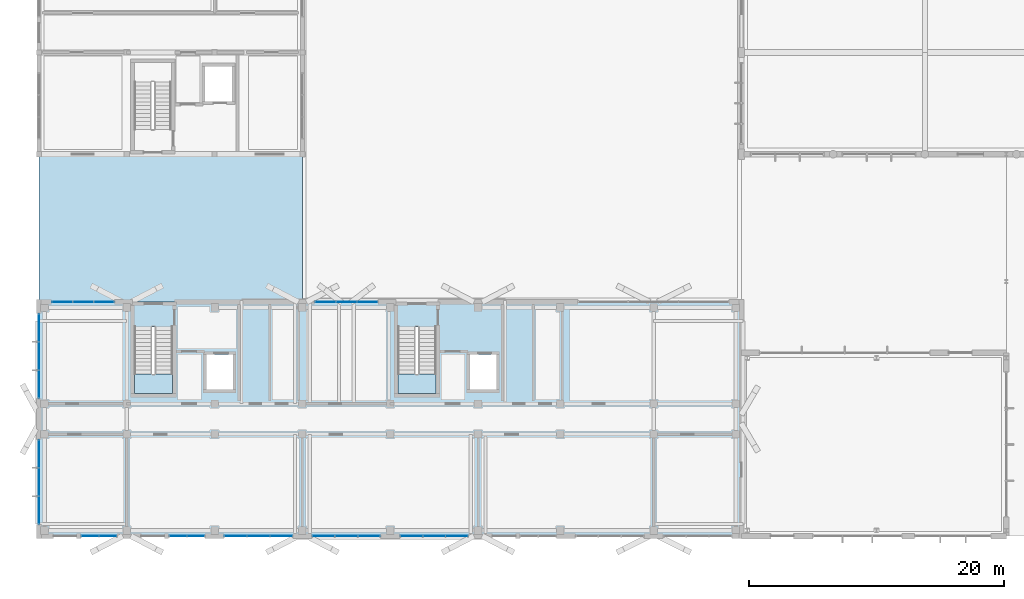
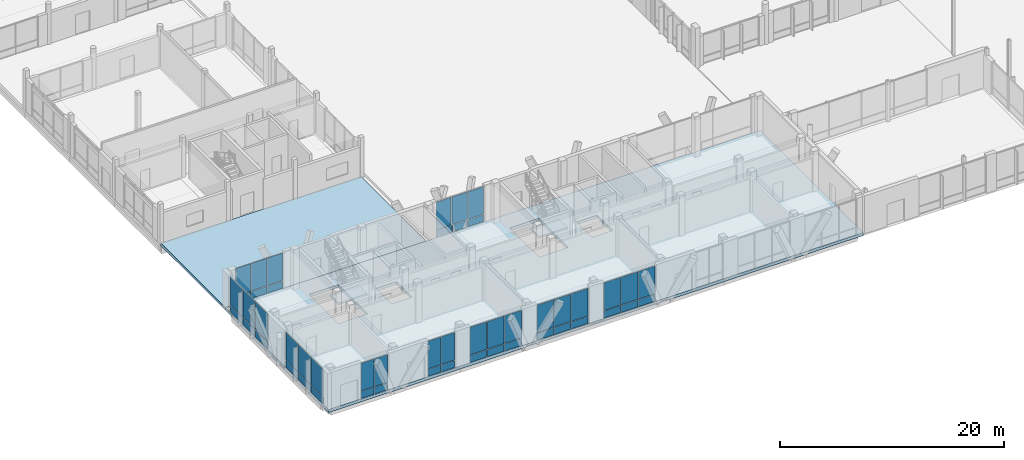
# One storey, part 176 of 233: 50 plates, 4 slabs, 11 elements without a shape of their own.
"""IFC4 building model written with IfcOpenShell, lengths in metres."""

import ifcopenshell
import ifcopenshell.guid

model = None  # the IFC model being written
_history = None  # IfcOwnerHistory: only IFC2X3 demands one
_inside = {}  # id of a spatial element -> (the spatial element, [elements in it])
_under = {}  # id of a project, library or spatial element -> (it, [spatial elements below it])
_declared = {}  # id of a project -> (the project, [libraries it declares])
_typed = {}  # id of a type object -> (the type object, [elements of that type])
_made_of = {}  # id of a material, layer set ... -> (it, [elements and type objects made of it])


def new_model(schema):
    """Start an empty IFC model of exactly this schema.

    Asked for "IFC4X3", IfcOpenShell would pick the latest addendum, in which some entities
    have other attributes; the version numbers below select the first issue.
    IFC2X3 requires an IfcOwnerHistory on every rooted entity: one is made here for all.
    """
    global model, _history
    if schema == "IFC4X3":
        model = ifcopenshell.file(schema_version=(4, 3, 0, 0))
    else:
        model = ifcopenshell.file(schema=schema)
    _inside.clear()
    _under.clear()
    _declared.clear()
    _typed.clear()
    _made_of.clear()
    _history = None
    if model.schema == "IFC2X3":
        org = make("IfcOrganization", Name="unknown")
        user = make(
            "IfcPersonAndOrganization",
            ThePerson=make("IfcPerson", FamilyName="unknown"),
            TheOrganization=org,
        )
        app = make(
            "IfcApplication",
            ApplicationDeveloper=org,
            Version="unknown",
            ApplicationFullName="unknown",
            ApplicationIdentifier="unknown",
        )
        _history = make(
            "IfcOwnerHistory",
            OwningUser=user,
            OwningApplication=app,
            ChangeAction="ADDED",
            CreationDate=0,
        )
    return model


def make(cls, **values):
    """One entity of the class cls with the attributes given. An attribute that is None is left unset."""
    return model.create_entity(
        cls, **{name: value for name, value in values.items() if value is not None}
    )


def rooted(cls, **values):
    """An entity with a GlobalId (a new one), such as an element, a storey or a relation."""
    return make(cls, GlobalId=ifcopenshell.guid.new(), OwnerHistory=_history, **values)


def si_unit(unit_type, name, prefix=None):
    """IfcSIUnit, for example si_unit("LENGTHUNIT", "METRE", prefix="MILLI")."""
    return make("IfcSIUnit", UnitType=unit_type, Prefix=prefix, Name=name)


def assignment(units):
    """IfcUnitAssignment: the units of a project."""
    return None if units is None else make("IfcUnitAssignment", Units=units)


def point(xyz):
    """IfcCartesianPoint."""
    return None if xyz is None else make("IfcCartesianPoint", Coordinates=xyz)


def direction(xyz):
    """IfcDirection."""
    return None if xyz is None else make("IfcDirection", DirectionRatios=xyz)


def frame(location, z_axis=None, x_axis=None):
    """IfcAxis2Placement3D, a coordinate frame: its origin and axes. An axis left out is left unset."""
    return make(
        "IfcAxis2Placement3D",
        Location=point(location),
        Axis=direction(z_axis),
        RefDirection=direction(x_axis),
    )


def frame_2d(location, x_axis=None):
    """IfcAxis2Placement2D, a coordinate frame in the plane: its origin and x axis."""
    return make(
        "IfcAxis2Placement2D", Location=point(location), RefDirection=direction(x_axis)
    )


def origin():
    """The frame at (0, 0, 0) with its axes left unset."""
    return frame((0.0, 0.0, 0.0))


def origin_2d():
    """The frame at (0, 0) in the plane with its x axis left unset."""
    return frame_2d((0.0, 0.0))


def place(relative_to, where):
    """IfcLocalPlacement: puts the frame where relative to a parent placement (None: the world)."""
    return make(
        "IfcLocalPlacement", PlacementRelTo=relative_to, RelativePlacement=where
    )


def context(
    kind, dimensions, precision=None, world=None, true_north=None, identifier=None
):
    """IfcGeometricRepresentationContext, for example the 3D "Model" context."""
    return make(
        "IfcGeometricRepresentationContext",
        ContextIdentifier=identifier,
        ContextType=kind,
        CoordinateSpaceDimension=dimensions,
        Precision=precision,
        WorldCoordinateSystem=world,
        TrueNorth=true_north,
    )


def subcontext(parent, identifier, kind, view, scale=None):
    """IfcGeometricRepresentationSubContext, for example "Body" below "Model"."""
    return make(
        "IfcGeometricRepresentationSubContext",
        ContextIdentifier=identifier,
        ContextType=kind,
        ParentContext=parent,
        TargetScale=scale,
        TargetView=view,
    )


def project(units=None, contexts=None):
    """IfcProject with its units and contexts."""
    return rooted(
        "IfcProject",
        Name="project",
        RepresentationContexts=contexts,
        UnitsInContext=assignment(units),
    )


def spatial(cls, under=None, at=None, **own):
    """A site, building, storey or space (cls), placed at a placement, below another one or the project."""
    s = rooted(cls, ObjectPlacement=at, **own)
    if under is not None:
        _under.setdefault(under.id(), (under, []))[1].append(s)
    return s


def polyline(points):
    """IfcPolyline through the points."""
    return make("IfcPolyline", Points=[point(p) for p in points])


def profile(cls, at=None, kind="AREA", **sizes):
    """A parametric profile (cls). Its sizes go by their IFC names, for example OverallWidth=200.0."""
    return make(cls, ProfileType=kind, Position=at, **sizes)


def rectangle(**sizes):
    """IfcRectangleProfileDef."""
    return profile("IfcRectangleProfileDef", **sizes)


def outline(outer, holes=None, kind="AREA"):
    """IfcArbitraryClosedProfileDef: a profile drawn as a closed curve; with holes, ...WithVoids."""
    if holes is None:
        return make("IfcArbitraryClosedProfileDef", ProfileType=kind, OuterCurve=outer)
    return make(
        "IfcArbitraryProfileDefWithVoids",
        ProfileType=kind,
        OuterCurve=outer,
        InnerCurves=holes,
    )


def extrude(swept, where, along, depth):
    """IfcExtrudedAreaSolid: the profile swept, set in the frame where, extruded along a direction by depth."""
    return make(
        "IfcExtrudedAreaSolid",
        SweptArea=swept,
        Position=where,
        ExtrudedDirection=direction(along),
        Depth=depth,
    )


def shape(context_of_items, identifier, shape_type, items):
    """IfcShapeRepresentation: the items that make up one representation, for example the "Body"."""
    return make(
        "IfcShapeRepresentation",
        ContextOfItems=context_of_items,
        RepresentationIdentifier=identifier,
        RepresentationType=shape_type,
        Items=items,
    )


def material(Name=None, Category=None):
    """IfcMaterial."""
    return make("IfcMaterial", Name=Name, Category=Category)


def layer(
    of_material, thickness, ventilated=None, Name=None, Category=None, Priority=None
):
    """IfcMaterialLayer: one layer of a wall or slab, of a material (None: an air gap)."""
    return make(
        "IfcMaterialLayer",
        Material=of_material,
        LayerThickness=thickness,
        IsVentilated=ventilated,
        Name=Name,
        Category=Category,
        Priority=Priority,
    )


def layer_set(layers, Name=None):
    """IfcMaterialLayerSet."""
    return make("IfcMaterialLayerSet", MaterialLayers=layers, LayerSetName=Name)


def made_of(thing, what):
    """Note that an element or type object is made of a material, layer set ...; save() writes the relation."""
    if what is not None:
        _made_of.setdefault(what.id(), (what, []))[1].append(thing)
    return thing


def type_object(cls, material=None, **own):
    """A type object (cls), such as IfcWallType, which elements share."""
    return made_of(rooted(cls, **own), material)


def element(
    cls,
    number,
    at=None,
    inside=None,
    cuts=None,
    type_object=None,
    material=None,
    context=None,
    identifier="Body",
    shape_type=None,
    held_by="IfcProductDefinitionShape",
    body=None,
    shapes=None,
    **own,
):
    """One element of the class cls, such as IfcWall. Its Tag is "e" and its number.

    at: its placement. inside: the storey or other place that contains it. cuts: it is an
    opening in that element (IfcRelVoidsElement). A single representation is given by context,
    identifier, shape_type and body (its items); several are given by shapes. held_by: the class
    of the entity that holds the representations. save() writes the other relations.
    """
    e = rooted(cls, Tag="e%d" % number, ObjectPlacement=at, **own)
    if body is not None:
        shapes = [shape(context, identifier, shape_type, body)]
    if shapes is not None:
        e.Representation = make(held_by, Representations=shapes)
    if inside is not None:
        _inside.setdefault(inside.id(), (inside, []))[1].append(e)
    if cuts is not None:
        rooted(
            "IfcRelVoidsElement", RelatingBuildingElement=cuts, RelatedOpeningElement=e
        )
    if type_object is not None:
        _typed.setdefault(type_object.id(), (type_object, []))[1].append(e)
    return made_of(e, material)


def aggregate(whole, parts):
    """IfcRelAggregates: a whole, such as a stair, and the parts it consists of."""
    return rooted("IfcRelAggregates", RelatingObject=whole, RelatedObjects=parts)


def save(model, path):
    """Write the relations noted so far, then the file.

    IfcRelAggregates (storeys below a building ...), IfcRelContainedInSpatialStructure (elements
    in a storey), IfcRelDefinesByType, IfcRelAssociatesMaterial and IfcRelDeclares: one each for
    every whole, place, type object, material and project.
    """
    for whole, parts in _under.values():
        aggregate(whole, parts)
    for where, things in _inside.values():
        rooted(
            "IfcRelContainedInSpatialStructure",
            RelatedElements=things,
            RelatingStructure=where,
        )
    for kind, things in _typed.values():
        rooted("IfcRelDefinesByType", RelatedObjects=things, RelatingType=kind)
    for what, things in _made_of.values():
        rooted("IfcRelAssociatesMaterial", RelatedObjects=things, RelatingMaterial=what)
    for by, libraries in _declared.values():
        rooted("IfcRelDeclares", RelatingContext=by, RelatedDefinitions=libraries)
    model.write(path)


model = new_model("IFC4")

# Units and contexts
model_context = context("Model", 3, precision=1e-05, world=origin(), true_north=direction((0.0, 1.0)))
body_context = subcontext(model_context, "Body", "Model", "MODEL_VIEW")
ifc_project = project(units=[si_unit("LENGTHUNIT", "METRE"), si_unit("AREAUNIT", "SQUARE_METRE"), si_unit("VOLUMEUNIT", "CUBIC_METRE"), si_unit("PLANEANGLEUNIT", "RADIAN"), si_unit("MASSUNIT", "GRAM", prefix="KILO")], contexts=[model_context])

# Site, building, storey
site_placement = place(None, origin())
site = spatial("IfcSite", under=ifc_project, at=site_placement, CompositionType="ELEMENT")
building_placement = place(site_placement, origin())
building = spatial("IfcBuilding", under=site, at=building_placement, Name="Zavelmont Quarter", CompositionType="ELEMENT")
storey_placement = place(building_placement, origin())
storey = spatial("IfcBuildingStorey", under=building, at=storey_placement, Name="L00", CompositionType="ELEMENT", Elevation=0.0)

# Curtain wall, plates
ifc_material_1 = material(Name="Thermally broken aluminium and double low-E safety glazing", Category="aluminium")
curtain_wall_type_1 = type_object("IfcCurtainWallType", Name="CW-285X395", PredefinedType="NOTDEFINED", material=ifc_material_1)
curtain_wall_1_placement = place(storey_placement, origin())
curtain_wall_1 = element("IfcCurtainWall", 1, at=curtain_wall_1_placement, inside=storey, type_object=curtain_wall_type_1, Name="L00 unitised curtain wall CW-285X395", PredefinedType="NOTDEFINED")
ifc_material_2 = material(Name="Insulated anodised-aluminium spandrel panel", Category="aluminium")
ifc_layer_1 = layer(ifc_material_2, 0.0400390625)
ifc_layer_set_1 = layer_set([ifc_layer_1], Name="Insulated anodised-aluminium spandrel panel")
plate_type_1 = type_object("IfcPlateType", Name="CWP-SPD-1335X760", PredefinedType="CURTAIN_PANEL", material=ifc_layer_set_1)
plate_1_placement = place(storey_placement, frame((4.027587890625, 0.0, 0.06005859375), z_axis=(0.0, 0.0, 1.0), x_axis=(1.0, 0.0, 0.0)))
plate_1 = element("IfcPlate", 2, at=plate_1_placement, type_object=plate_type_1, Name="CW-285X395 panel 1.1", PredefinedType="CURTAIN_PANEL", context=body_context, shape_type="SweptSolid", body=[
    extrude(rectangle(XDim=1.3349609375, YDim=0.0400390625, at=origin_2d()), origin(), (0.0, 0.0, 1.0), 0.760009765625),
])
plate_2_placement = place(storey_placement, frame((5.422607421875, 0.0, 0.06005859375), z_axis=(0.0, 0.0, 1.0), x_axis=(1.0, 0.0, 0.0)))
plate_2 = element("IfcPlate", 3, at=plate_2_placement, type_object=plate_type_1, Name="CW-285X395 panel 2.1", PredefinedType="CURTAIN_PANEL", context=body_context, shape_type="SweptSolid", body=[
    extrude(rectangle(XDim=1.3349609375, YDim=0.0400390625, at=origin_2d()), origin(), (0.0, 0.0, 1.0), 0.760009765625),
])

curtain_wall_2_placement = place(storey_placement, origin())
curtain_wall_2 = element("IfcCurtainWall", 4, at=curtain_wall_2_placement, inside=storey, type_object=curtain_wall_type_1, Name="L00 unitised curtain wall CW-285X395", PredefinedType="NOTDEFINED")
plate_3_placement = place(storey_placement, frame((10.927490234375, 0.0, 0.06005859375), z_axis=(0.0, 0.0, 1.0), x_axis=(1.0, 0.0, 0.0)))
plate_3 = element("IfcPlate", 5, at=plate_3_placement, type_object=plate_type_1, Name="CW-285X395 panel 1.1", PredefinedType="CURTAIN_PANEL", context=body_context, shape_type="SweptSolid", body=[
    extrude(rectangle(XDim=1.3349609375, YDim=0.0400390625, at=origin_2d()), origin(), (0.0, 0.0, 1.0), 0.760009765625),
])
plate_4_placement = place(storey_placement, frame((12.322509765625, 0.0, 0.06005859375), z_axis=(0.0, 0.0, 1.0), x_axis=(1.0, 0.0, 0.0)))
plate_4 = element("IfcPlate", 6, at=plate_4_placement, type_object=plate_type_1, Name="CW-285X395 panel 2.1", PredefinedType="CURTAIN_PANEL", context=body_context, shape_type="SweptSolid", body=[
    extrude(rectangle(XDim=1.3349609375, YDim=0.0400390625, at=origin_2d()), origin(), (0.0, 0.0, 1.0), 0.760009765625),
])

curtain_wall_type_2 = type_object("IfcCurtainWallType", Name="CW-495X395", PredefinedType="NOTDEFINED", material=ifc_material_1)
curtain_wall_3_placement = place(storey_placement, origin())
curtain_wall_3 = element("IfcCurtainWall", 7, at=curtain_wall_3_placement, inside=storey, type_object=curtain_wall_type_2, Name="L00 unitised curtain wall CW-495X395", PredefinedType="NOTDEFINED")
ifc_layer_2 = layer(ifc_material_2, 0.0400390625)
ifc_layer_set_2 = layer_set([ifc_layer_2], Name="Insulated anodised-aluminium spandrel panel")
plate_type_2 = type_object("IfcPlateType", Name="CWP-SPD-1560X760", PredefinedType="CURTAIN_PANEL", material=ifc_layer_set_2)
plate_5_placement = place(storey_placement, frame((1.840087890625, 18.39990234375, 0.06005859375), z_axis=(0.0, 0.0, 1.0), x_axis=(1.0, 0.0, 0.0)))
plate_5 = element("IfcPlate", 8, at=plate_5_placement, type_object=plate_type_2, Name="CW-495X395 panel 1.1", PredefinedType="CURTAIN_PANEL", context=body_context, shape_type="SweptSolid", body=[
    extrude(rectangle(XDim=1.56005859375, YDim=0.0400390625, at=origin_2d()), origin(), (0.0, 0.0, 1.0), 0.760009765625),
])
plate_6_placement = place(storey_placement, frame((5.110107421875, 18.39990234375, 0.06005859375), z_axis=(0.0, 0.0, 1.0), x_axis=(1.0, 0.0, 0.0)))
plate_6 = element("IfcPlate", 9, at=plate_6_placement, type_object=plate_type_2, Name="CW-495X395 panel 3.1", PredefinedType="CURTAIN_PANEL", context=body_context, shape_type="SweptSolid", body=[
    extrude(rectangle(XDim=1.56005859375, YDim=0.0400390625, at=origin_2d()), origin(), (0.0, 0.0, 1.0), 0.760009765625),
])

curtain_wall_type_3 = type_object("IfcCurtainWallType", Name="CW-500X395", PredefinedType="NOTDEFINED", material=ifc_material_1)
curtain_wall_4_placement = place(storey_placement, origin())
curtain_wall_4 = element("IfcCurtainWall", 10, at=curtain_wall_4_placement, inside=storey, type_object=curtain_wall_type_3, Name="L00 unitised curtain wall CW-500X395", PredefinedType="NOTDEFINED")
ifc_layer_3 = layer(ifc_material_2, 0.0400390625)
ifc_layer_set_3 = layer_set([ifc_layer_3], Name="Insulated anodised-aluminium spandrel panel")
plate_type_3 = type_object("IfcPlateType", Name="CWP-SPD-1575X760", PredefinedType="CURTAIN_PANEL", material=ifc_layer_set_3)
plate_7_placement = place(storey_placement, frame((22.498291015625, 18.39990234375, 0.06005859375), z_axis=(0.0, 0.0, 1.0), x_axis=(1.0, 0.0, 0.0)))
plate_7 = element("IfcPlate", 11, at=plate_7_placement, type_object=plate_type_3, Name="CW-500X395 panel 1.1", PredefinedType="CURTAIN_PANEL", context=body_context, shape_type="SweptSolid", body=[
    extrude(rectangle(XDim=1.57666015625, YDim=0.0400390625, at=origin_2d()), origin(), (0.0, 0.0, 1.0), 0.760009765625),
])
plate_8_placement = place(storey_placement, frame((25.8017578125, 18.39990234375, 0.06005859375), z_axis=(0.0, 0.0, 1.0), x_axis=(1.0, 0.0, 0.0)))
plate_8 = element("IfcPlate", 12, at=plate_8_placement, type_object=plate_type_3, Name="CW-500X395 panel 3.1", PredefinedType="CURTAIN_PANEL", context=body_context, shape_type="SweptSolid", body=[
    extrude(rectangle(XDim=1.57666015625, YDim=0.0400390625, at=origin_2d()), origin(), (0.0, 0.0, 1.0), 0.760009765625),
])

# Plate
ifc_layer_4 = layer(ifc_material_2, 0.0400390625)
ifc_layer_set_4 = layer_set([ifc_layer_4], Name="Insulated anodised-aluminium spandrel panel")
plate_type_4 = type_object("IfcPlateType", Name="CWP-SPD-1590X760", PredefinedType="CURTAIN_PANEL", material=ifc_layer_set_4)
plate_9_placement = place(storey_placement, frame((3.47509765625, 18.39990234375, 0.06005859375), z_axis=(0.0, 0.0, 1.0), x_axis=(1.0, 0.0, 0.0)))
plate_9 = element("IfcPlate", 13, at=plate_9_placement, type_object=plate_type_4, Name="CW-495X395 panel 2.1", PredefinedType="CURTAIN_PANEL", context=body_context, shape_type="SweptSolid", body=[
    extrude(rectangle(XDim=1.590087890625, YDim=0.0400390625, at=origin_2d()), origin(), (0.0, 0.0, 1.0), 0.760009765625),
])

ifc_layer_5 = layer(ifc_material_2, 0.0400390625)
ifc_layer_set_5 = layer_set([ifc_layer_5], Name="Insulated anodised-aluminium spandrel panel")
plate_type_5 = type_object("IfcPlateType", Name="CWP-SPD-1605X760", PredefinedType="CURTAIN_PANEL", material=ifc_layer_set_5)
plate_10_placement = place(storey_placement, frame((24.14990234375, 18.39990234375, 0.06005859375), z_axis=(0.0, 0.0, 1.0), x_axis=(1.0, 0.0, 0.0)))
plate_10 = element("IfcPlate", 14, at=plate_10_placement, type_object=plate_type_5, Name="CW-500X395 panel 2.1", PredefinedType="CURTAIN_PANEL", context=body_context, shape_type="SweptSolid", body=[
    extrude(rectangle(XDim=1.606689453125, YDim=0.0400390625, at=origin_2d()), origin(), (0.0, 0.0, 1.0), 0.760009765625),
])

# Curtain wall, plates
curtain_wall_type_4 = type_object("IfcCurtainWallType", Name="CW-540X395", PredefinedType="NOTDEFINED", material=ifc_material_1)
curtain_wall_5_placement = place(storey_placement, origin())
curtain_wall_5 = element("IfcCurtainWall", 15, at=curtain_wall_5_placement, inside=storey, type_object=curtain_wall_type_4, Name="L00 unitised curtain wall CW-540X395", PredefinedType="NOTDEFINED")
ifc_layer_6 = layer(ifc_material_2, 0.0400390625)
ifc_layer_set_6 = layer_set([ifc_layer_6], Name="Insulated anodised-aluminium spandrel panel")
plate_type_6 = type_object("IfcPlateType", Name="CWP-SPD-1710X760", PredefinedType="CURTAIN_PANEL", material=ifc_layer_set_6)
plate_11_placement = place(storey_placement, frame((15.465087890625, 0.0, 0.06005859375), z_axis=(0.0, 0.0, 1.0), x_axis=(1.0, 0.0, 0.0)))
plate_11 = element("IfcPlate", 16, at=plate_11_placement, type_object=plate_type_6, Name="CW-540X395 panel 1.1", PredefinedType="CURTAIN_PANEL", context=body_context, shape_type="SweptSolid", body=[
    extrude(rectangle(XDim=1.7099609375, YDim=0.0400390625, at=origin_2d()), origin(), (0.0, 0.0, 1.0), 0.760009765625),
])
plate_12_placement = place(storey_placement, frame((19.034912109375, 0.0, 0.06005859375), z_axis=(0.0, 0.0, 1.0), x_axis=(1.0, 0.0, 0.0)))
plate_12 = element("IfcPlate", 17, at=plate_12_placement, type_object=plate_type_6, Name="CW-540X395 panel 3.1", PredefinedType="CURTAIN_PANEL", context=body_context, shape_type="SweptSolid", body=[
    extrude(rectangle(XDim=1.7099609375, YDim=0.0400390625, at=origin_2d()), origin(), (0.0, 0.0, 1.0), 0.760009765625),
])

curtain_wall_6_placement = place(storey_placement, origin())
curtain_wall_6 = element("IfcCurtainWall", 18, at=curtain_wall_6_placement, inside=storey, type_object=curtain_wall_type_4, Name="L00 unitised curtain wall CW-540X395", PredefinedType="NOTDEFINED")
plate_13_placement = place(storey_placement, frame((22.364990234375, 0.0, 0.06005859375), z_axis=(0.0, 0.0, 1.0), x_axis=(1.0, 0.0, 0.0)))
plate_13 = element("IfcPlate", 19, at=plate_13_placement, type_object=plate_type_6, Name="CW-540X395 panel 1.1", PredefinedType="CURTAIN_PANEL", context=body_context, shape_type="SweptSolid", body=[
    extrude(rectangle(XDim=1.7099609375, YDim=0.0400390625, at=origin_2d()), origin(), (0.0, 0.0, 1.0), 0.760009765625),
])
plate_14_placement = place(storey_placement, frame((25.93505859375, 0.0, 0.06005859375), z_axis=(0.0, 0.0, 1.0), x_axis=(1.0, 0.0, 0.0)))
plate_14 = element("IfcPlate", 20, at=plate_14_placement, type_object=plate_type_6, Name="CW-540X395 panel 3.1", PredefinedType="CURTAIN_PANEL", context=body_context, shape_type="SweptSolid", body=[
    extrude(rectangle(XDim=1.7099609375, YDim=0.0400390625, at=origin_2d()), origin(), (0.0, 0.0, 1.0), 0.760009765625),
])

curtain_wall_7_placement = place(storey_placement, origin())
curtain_wall_7 = element("IfcCurtainWall", 21, at=curtain_wall_7_placement, inside=storey, type_object=curtain_wall_type_4, Name="L00 unitised curtain wall CW-540X395", PredefinedType="NOTDEFINED")
plate_15_placement = place(storey_placement, frame((29.264892578125, 0.0, 0.06005859375), z_axis=(0.0, 0.0, 1.0), x_axis=(1.0, 0.0, 0.0)))
plate_15 = element("IfcPlate", 22, at=plate_15_placement, type_object=plate_type_6, Name="CW-540X395 panel 1.1", PredefinedType="CURTAIN_PANEL", context=body_context, shape_type="SweptSolid", body=[
    extrude(rectangle(XDim=1.7099609375, YDim=0.0400390625, at=origin_2d()), origin(), (0.0, 0.0, 1.0), 0.760009765625),
])
plate_16_placement = place(storey_placement, frame((32.8349609375, 0.0, 0.06005859375), z_axis=(0.0, 0.0, 1.0), x_axis=(1.0, 0.0, 0.0)))
plate_16 = element("IfcPlate", 23, at=plate_16_placement, type_object=plate_type_6, Name="CW-540X395 panel 3.1", PredefinedType="CURTAIN_PANEL", context=body_context, shape_type="SweptSolid", body=[
    extrude(rectangle(XDim=1.7099609375, YDim=0.0400390625, at=origin_2d()), origin(), (0.0, 0.0, 1.0), 0.760009765625),
])

# Plate
ifc_layer_7 = layer(ifc_material_2, 0.0400390625)
ifc_layer_set_7 = layer_set([ifc_layer_7], Name="Insulated anodised-aluminium spandrel panel")
plate_type_7 = type_object("IfcPlateType", Name="CWP-SPD-1740X760", PredefinedType="CURTAIN_PANEL", material=ifc_layer_set_7)
plate_17_placement = place(storey_placement, frame((17.25, 0.0, 0.06005859375), z_axis=(0.0, 0.0, 1.0), x_axis=(1.0, 0.0, 0.0)))
plate_17 = element("IfcPlate", 24, at=plate_17_placement, type_object=plate_type_7, Name="CW-540X395 panel 2.1", PredefinedType="CURTAIN_PANEL", context=body_context, shape_type="SweptSolid", body=[
    extrude(rectangle(XDim=1.739990234375, YDim=0.0400390625, at=origin_2d()), origin(), (0.0, 0.0, 1.0), 0.760009765625),
])

plate_18_placement = place(storey_placement, frame((24.14990234375, 0.0, 0.06005859375), z_axis=(0.0, 0.0, 1.0), x_axis=(1.0, 0.0, 0.0)))
plate_18 = element("IfcPlate", 25, at=plate_18_placement, type_object=plate_type_7, Name="CW-540X395 panel 2.1", PredefinedType="CURTAIN_PANEL", context=body_context, shape_type="SweptSolid", body=[
    extrude(rectangle(XDim=1.739990234375, YDim=0.0400390625, at=origin_2d()), origin(), (0.0, 0.0, 1.0), 0.760009765625),
])

plate_19_placement = place(storey_placement, frame((31.050048828125, 0.0, 0.06005859375), z_axis=(0.0, 0.0, 1.0), x_axis=(1.0, 0.0, 0.0)))
plate_19 = element("IfcPlate", 26, at=plate_19_placement, type_object=plate_type_7, Name="CW-540X395 panel 2.1", PredefinedType="CURTAIN_PANEL", context=body_context, shape_type="SweptSolid", body=[
    extrude(rectangle(XDim=1.739990234375, YDim=0.0400390625, at=origin_2d()), origin(), (0.0, 0.0, 1.0), 0.760009765625),
])

# Curtain wall, plates
curtain_wall_type_5 = type_object("IfcCurtainWallType", Name="CW-670X395", PredefinedType="NOTDEFINED", material=ifc_material_1)
curtain_wall_8_placement = place(storey_placement, origin())
curtain_wall_8 = element("IfcCurtainWall", 27, at=curtain_wall_8_placement, inside=storey, type_object=curtain_wall_type_5, Name="L00 unitised curtain wall CW-670X395", PredefinedType="NOTDEFINED")
ifc_layer_8 = layer(ifc_material_2, 0.0400390625)
ifc_layer_set_8 = layer_set([ifc_layer_8], Name="Insulated anodised-aluminium spandrel panel")
plate_type_8 = type_object("IfcPlateType", Name="CWP-SPD-2145X760", PredefinedType="CURTAIN_PANEL", material=ifc_layer_set_8)
plate_20_placement = place(storey_placement, frame((0.0, 2.03173828125, 0.06005859375), z_axis=(0.0, 0.0, 1.0), x_axis=(0.0, 1.0, 0.0)))
plate_20 = element("IfcPlate", 28, at=plate_20_placement, type_object=plate_type_8, Name="CW-670X395 panel 1.1", PredefinedType="CURTAIN_PANEL", context=body_context, shape_type="SweptSolid", body=[
    extrude(rectangle(XDim=2.143310546875, YDim=0.0400390625, at=origin_2d()), origin(), (0.0, 0.0, 1.0), 0.760009765625),
])
plate_21_placement = place(storey_placement, frame((0.0, 6.46826171875, 0.06005859375), z_axis=(0.0, 0.0, 1.0), x_axis=(0.0, 1.0, 0.0)))
plate_21 = element("IfcPlate", 29, at=plate_21_placement, type_object=plate_type_8, Name="CW-670X395 panel 3.1", PredefinedType="CURTAIN_PANEL", context=body_context, shape_type="SweptSolid", body=[
    extrude(rectangle(XDim=2.143310546875, YDim=0.0400390625, at=origin_2d()), origin(), (0.0, 0.0, 1.0), 0.760009765625),
])

curtain_wall_9_placement = place(storey_placement, origin())
curtain_wall_9 = element("IfcCurtainWall", 30, at=curtain_wall_9_placement, inside=storey, type_object=curtain_wall_type_5, Name="L00 unitised curtain wall CW-670X395", PredefinedType="NOTDEFINED")
plate_22_placement = place(storey_placement, frame((0.0, 11.931640625, 0.06005859375), z_axis=(0.0, 0.0, 1.0), x_axis=(0.0, 1.0, 0.0)))
plate_22 = element("IfcPlate", 31, at=plate_22_placement, type_object=plate_type_8, Name="CW-670X395 panel 1.1", PredefinedType="CURTAIN_PANEL", context=body_context, shape_type="SweptSolid", body=[
    extrude(rectangle(XDim=2.143310546875, YDim=0.0400390625, at=origin_2d()), origin(), (0.0, 0.0, 1.0), 0.760009765625),
])
plate_23_placement = place(storey_placement, frame((0.0, 16.368408203125, 0.06005859375), z_axis=(0.0, 0.0, 1.0), x_axis=(0.0, 1.0, 0.0)))
plate_23 = element("IfcPlate", 32, at=plate_23_placement, type_object=plate_type_8, Name="CW-670X395 panel 3.1", PredefinedType="CURTAIN_PANEL", context=body_context, shape_type="SweptSolid", body=[
    extrude(rectangle(XDim=2.143310546875, YDim=0.0400390625, at=origin_2d()), origin(), (0.0, 0.0, 1.0), 0.760009765625),
])

# Plate
ifc_layer_9 = layer(ifc_material_2, 0.0400390625)
ifc_layer_set_9 = layer_set([ifc_layer_9], Name="Insulated anodised-aluminium spandrel panel")
plate_type_9 = type_object("IfcPlateType", Name="CWP-SPD-2175X760", PredefinedType="CURTAIN_PANEL", material=ifc_layer_set_9)
plate_24_placement = place(storey_placement, frame((0.0, 4.25, 0.06005859375), z_axis=(0.0, 0.0, 1.0), x_axis=(0.0, 1.0, 0.0)))
plate_24 = element("IfcPlate", 33, at=plate_24_placement, type_object=plate_type_9, Name="CW-670X395 panel 2.1", PredefinedType="CURTAIN_PANEL", context=body_context, shape_type="SweptSolid", body=[
    extrude(rectangle(XDim=2.17333984375, YDim=0.0400390625, at=origin_2d()), origin(), (0.0, 0.0, 1.0), 0.760009765625),
])

plate_25_placement = place(storey_placement, frame((0.0, 14.14990234375, 0.06005859375), z_axis=(0.0, 0.0, 1.0), x_axis=(0.0, 1.0, 0.0)))
plate_25 = element("IfcPlate", 34, at=plate_25_placement, type_object=plate_type_9, Name="CW-670X395 panel 2.1", PredefinedType="CURTAIN_PANEL", context=body_context, shape_type="SweptSolid", body=[
    extrude(rectangle(XDim=2.17333984375, YDim=0.0400390625, at=origin_2d()), origin(), (0.0, 0.0, 1.0), 0.760009765625),
])

ifc_material_3 = material(Name="Double low-E insulated vision glass", Category="glass")
ifc_layer_10 = layer(ifc_material_3, 0.028076171875)
ifc_layer_set_10 = layer_set([ifc_layer_10], Name="Double low-E insulated vision glass")
plate_type_10 = type_object("IfcPlateType", Name="CWP-VIS-1335X3010", PredefinedType="CURTAIN_PANEL", material=ifc_layer_set_10)
plate_26_placement = place(storey_placement, frame((4.027587890625, 0.0, 0.8798828125), z_axis=(0.0, 0.0, 1.0), x_axis=(1.0, 0.0, 0.0)))
plate_26 = element("IfcPlate", 35, at=plate_26_placement, type_object=plate_type_10, Name="CW-285X395 panel 1.2", PredefinedType="CURTAIN_PANEL", context=body_context, shape_type="SweptSolid", body=[
    extrude(rectangle(XDim=1.3349609375, YDim=0.028076171875, at=origin_2d()), origin(), (0.0, 0.0, 1.0), 3.010009765625),
])

plate_27_placement = place(storey_placement, frame((5.422607421875, 0.0, 0.8798828125), z_axis=(0.0, 0.0, 1.0), x_axis=(1.0, 0.0, 0.0)))
plate_27 = element("IfcPlate", 36, at=plate_27_placement, type_object=plate_type_10, Name="CW-285X395 panel 2.2", PredefinedType="CURTAIN_PANEL", context=body_context, shape_type="SweptSolid", body=[
    extrude(rectangle(XDim=1.3349609375, YDim=0.028076171875, at=origin_2d()), origin(), (0.0, 0.0, 1.0), 3.010009765625),
])

aggregate(curtain_wall_1, [plate_1, plate_26, plate_2, plate_27])

plate_28_placement = place(storey_placement, frame((10.927490234375, 0.0, 0.8798828125), z_axis=(0.0, 0.0, 1.0), x_axis=(1.0, 0.0, 0.0)))
plate_28 = element("IfcPlate", 37, at=plate_28_placement, type_object=plate_type_10, Name="CW-285X395 panel 1.2", PredefinedType="CURTAIN_PANEL", context=body_context, shape_type="SweptSolid", body=[
    extrude(rectangle(XDim=1.3349609375, YDim=0.028076171875, at=origin_2d()), origin(), (0.0, 0.0, 1.0), 3.010009765625),
])

plate_29_placement = place(storey_placement, frame((12.322509765625, 0.0, 0.8798828125), z_axis=(0.0, 0.0, 1.0), x_axis=(1.0, 0.0, 0.0)))
plate_29 = element("IfcPlate", 38, at=plate_29_placement, type_object=plate_type_10, Name="CW-285X395 panel 2.2", PredefinedType="CURTAIN_PANEL", context=body_context, shape_type="SweptSolid", body=[
    extrude(rectangle(XDim=1.3349609375, YDim=0.028076171875, at=origin_2d()), origin(), (0.0, 0.0, 1.0), 3.010009765625),
])

aggregate(curtain_wall_2, [plate_3, plate_28, plate_4, plate_29])

ifc_layer_11 = layer(ifc_material_3, 0.028076171875)
ifc_layer_set_11 = layer_set([ifc_layer_11], Name="Double low-E insulated vision glass")
plate_type_11 = type_object("IfcPlateType", Name="CWP-VIS-1560X3010", PredefinedType="CURTAIN_PANEL", material=ifc_layer_set_11)
plate_30_placement = place(storey_placement, frame((1.840087890625, 18.39990234375, 0.8798828125), z_axis=(0.0, 0.0, 1.0), x_axis=(1.0, 0.0, 0.0)))
plate_30 = element("IfcPlate", 39, at=plate_30_placement, type_object=plate_type_11, Name="CW-495X395 panel 1.2", PredefinedType="CURTAIN_PANEL", context=body_context, shape_type="SweptSolid", body=[
    extrude(rectangle(XDim=1.56005859375, YDim=0.028076171875, at=origin_2d()), origin(), (0.0, 0.0, 1.0), 3.010009765625),
])

plate_31_placement = place(storey_placement, frame((5.110107421875, 18.39990234375, 0.8798828125), z_axis=(0.0, 0.0, 1.0), x_axis=(1.0, 0.0, 0.0)))
plate_31 = element("IfcPlate", 40, at=plate_31_placement, type_object=plate_type_11, Name="CW-495X395 panel 3.2", PredefinedType="CURTAIN_PANEL", context=body_context, shape_type="SweptSolid", body=[
    extrude(rectangle(XDim=1.56005859375, YDim=0.028076171875, at=origin_2d()), origin(), (0.0, 0.0, 1.0), 3.010009765625),
])

ifc_layer_12 = layer(ifc_material_3, 0.028076171875)
ifc_layer_set_12 = layer_set([ifc_layer_12], Name="Double low-E insulated vision glass")
plate_type_12 = type_object("IfcPlateType", Name="CWP-VIS-1575X3010", PredefinedType="CURTAIN_PANEL", material=ifc_layer_set_12)
plate_32_placement = place(storey_placement, frame((22.498291015625, 18.39990234375, 0.8798828125), z_axis=(0.0, 0.0, 1.0), x_axis=(1.0, 0.0, 0.0)))
plate_32 = element("IfcPlate", 41, at=plate_32_placement, type_object=plate_type_12, Name="CW-500X395 panel 1.2", PredefinedType="CURTAIN_PANEL", context=body_context, shape_type="SweptSolid", body=[
    extrude(rectangle(XDim=1.57666015625, YDim=0.028076171875, at=origin_2d()), origin(), (0.0, 0.0, 1.0), 3.010009765625),
])

plate_33_placement = place(storey_placement, frame((25.8017578125, 18.39990234375, 0.8798828125), z_axis=(0.0, 0.0, 1.0), x_axis=(1.0, 0.0, 0.0)))
plate_33 = element("IfcPlate", 42, at=plate_33_placement, type_object=plate_type_12, Name="CW-500X395 panel 3.2", PredefinedType="CURTAIN_PANEL", context=body_context, shape_type="SweptSolid", body=[
    extrude(rectangle(XDim=1.57666015625, YDim=0.028076171875, at=origin_2d()), origin(), (0.0, 0.0, 1.0), 3.010009765625),
])

ifc_layer_13 = layer(ifc_material_3, 0.028076171875)
ifc_layer_set_13 = layer_set([ifc_layer_13], Name="Double low-E insulated vision glass")
plate_type_13 = type_object("IfcPlateType", Name="CWP-VIS-1590X3010", PredefinedType="CURTAIN_PANEL", material=ifc_layer_set_13)
plate_34_placement = place(storey_placement, frame((3.47509765625, 18.39990234375, 0.8798828125), z_axis=(0.0, 0.0, 1.0), x_axis=(1.0, 0.0, 0.0)))
plate_34 = element("IfcPlate", 43, at=plate_34_placement, type_object=plate_type_13, Name="CW-495X395 panel 2.2", PredefinedType="CURTAIN_PANEL", context=body_context, shape_type="SweptSolid", body=[
    extrude(rectangle(XDim=1.590087890625, YDim=0.028076171875, at=origin_2d()), origin(), (0.0, 0.0, 1.0), 3.010009765625),
])

aggregate(curtain_wall_3, [plate_5, plate_30, plate_9, plate_34, plate_6, plate_31])

ifc_layer_14 = layer(ifc_material_3, 0.028076171875)
ifc_layer_set_14 = layer_set([ifc_layer_14], Name="Double low-E insulated vision glass")
plate_type_14 = type_object("IfcPlateType", Name="CWP-VIS-1605X3010", PredefinedType="CURTAIN_PANEL", material=ifc_layer_set_14)
plate_35_placement = place(storey_placement, frame((24.14990234375, 18.39990234375, 0.8798828125), z_axis=(0.0, 0.0, 1.0), x_axis=(1.0, 0.0, 0.0)))
plate_35 = element("IfcPlate", 44, at=plate_35_placement, type_object=plate_type_14, Name="CW-500X395 panel 2.2", PredefinedType="CURTAIN_PANEL", context=body_context, shape_type="SweptSolid", body=[
    extrude(rectangle(XDim=1.606689453125, YDim=0.028076171875, at=origin_2d()), origin(), (0.0, 0.0, 1.0), 3.010009765625),
])

aggregate(curtain_wall_4, [plate_7, plate_32, plate_10, plate_35, plate_8, plate_33])

ifc_layer_15 = layer(ifc_material_3, 0.028076171875)
ifc_layer_set_15 = layer_set([ifc_layer_15], Name="Double low-E insulated vision glass")
plate_type_15 = type_object("IfcPlateType", Name="CWP-VIS-1710X3010", PredefinedType="CURTAIN_PANEL", material=ifc_layer_set_15)
plate_36_placement = place(storey_placement, frame((15.465087890625, 0.0, 0.8798828125), z_axis=(0.0, 0.0, 1.0), x_axis=(1.0, 0.0, 0.0)))
plate_36 = element("IfcPlate", 45, at=plate_36_placement, type_object=plate_type_15, Name="CW-540X395 panel 1.2", PredefinedType="CURTAIN_PANEL", context=body_context, shape_type="SweptSolid", body=[
    extrude(rectangle(XDim=1.7099609375, YDim=0.028076171875, at=origin_2d()), origin(), (0.0, 0.0, 1.0), 3.010009765625),
])

plate_37_placement = place(storey_placement, frame((19.034912109375, 0.0, 0.8798828125), z_axis=(0.0, 0.0, 1.0), x_axis=(1.0, 0.0, 0.0)))
plate_37 = element("IfcPlate", 46, at=plate_37_placement, type_object=plate_type_15, Name="CW-540X395 panel 3.2", PredefinedType="CURTAIN_PANEL", context=body_context, shape_type="SweptSolid", body=[
    extrude(rectangle(XDim=1.7099609375, YDim=0.028076171875, at=origin_2d()), origin(), (0.0, 0.0, 1.0), 3.010009765625),
])

plate_38_placement = place(storey_placement, frame((22.364990234375, 0.0, 0.8798828125), z_axis=(0.0, 0.0, 1.0), x_axis=(1.0, 0.0, 0.0)))
plate_38 = element("IfcPlate", 47, at=plate_38_placement, type_object=plate_type_15, Name="CW-540X395 panel 1.2", PredefinedType="CURTAIN_PANEL", context=body_context, shape_type="SweptSolid", body=[
    extrude(rectangle(XDim=1.7099609375, YDim=0.028076171875, at=origin_2d()), origin(), (0.0, 0.0, 1.0), 3.010009765625),
])

plate_39_placement = place(storey_placement, frame((25.93505859375, 0.0, 0.8798828125), z_axis=(0.0, 0.0, 1.0), x_axis=(1.0, 0.0, 0.0)))
plate_39 = element("IfcPlate", 48, at=plate_39_placement, type_object=plate_type_15, Name="CW-540X395 panel 3.2", PredefinedType="CURTAIN_PANEL", context=body_context, shape_type="SweptSolid", body=[
    extrude(rectangle(XDim=1.7099609375, YDim=0.028076171875, at=origin_2d()), origin(), (0.0, 0.0, 1.0), 3.010009765625),
])

plate_40_placement = place(storey_placement, frame((29.264892578125, 0.0, 0.8798828125), z_axis=(0.0, 0.0, 1.0), x_axis=(1.0, 0.0, 0.0)))
plate_40 = element("IfcPlate", 49, at=plate_40_placement, type_object=plate_type_15, Name="CW-540X395 panel 1.2", PredefinedType="CURTAIN_PANEL", context=body_context, shape_type="SweptSolid", body=[
    extrude(rectangle(XDim=1.7099609375, YDim=0.028076171875, at=origin_2d()), origin(), (0.0, 0.0, 1.0), 3.010009765625),
])

plate_41_placement = place(storey_placement, frame((32.8349609375, 0.0, 0.8798828125), z_axis=(0.0, 0.0, 1.0), x_axis=(1.0, 0.0, 0.0)))
plate_41 = element("IfcPlate", 50, at=plate_41_placement, type_object=plate_type_15, Name="CW-540X395 panel 3.2", PredefinedType="CURTAIN_PANEL", context=body_context, shape_type="SweptSolid", body=[
    extrude(rectangle(XDim=1.7099609375, YDim=0.028076171875, at=origin_2d()), origin(), (0.0, 0.0, 1.0), 3.010009765625),
])

ifc_layer_16 = layer(ifc_material_3, 0.028076171875)
ifc_layer_set_16 = layer_set([ifc_layer_16], Name="Double low-E insulated vision glass")
plate_type_16 = type_object("IfcPlateType", Name="CWP-VIS-1740X3010", PredefinedType="CURTAIN_PANEL", material=ifc_layer_set_16)
plate_42_placement = place(storey_placement, frame((17.25, 0.0, 0.8798828125), z_axis=(0.0, 0.0, 1.0), x_axis=(1.0, 0.0, 0.0)))
plate_42 = element("IfcPlate", 51, at=plate_42_placement, type_object=plate_type_16, Name="CW-540X395 panel 2.2", PredefinedType="CURTAIN_PANEL", context=body_context, shape_type="SweptSolid", body=[
    extrude(rectangle(XDim=1.739990234375, YDim=0.028076171875, at=origin_2d()), origin(), (0.0, 0.0, 1.0), 3.010009765625),
])

aggregate(curtain_wall_5, [plate_11, plate_36, plate_17, plate_42, plate_12, plate_37])

plate_43_placement = place(storey_placement, frame((24.14990234375, 0.0, 0.8798828125), z_axis=(0.0, 0.0, 1.0), x_axis=(1.0, 0.0, 0.0)))
plate_43 = element("IfcPlate", 52, at=plate_43_placement, type_object=plate_type_16, Name="CW-540X395 panel 2.2", PredefinedType="CURTAIN_PANEL", context=body_context, shape_type="SweptSolid", body=[
    extrude(rectangle(XDim=1.739990234375, YDim=0.028076171875, at=origin_2d()), origin(), (0.0, 0.0, 1.0), 3.010009765625),
])

aggregate(curtain_wall_6, [plate_13, plate_38, plate_18, plate_43, plate_14, plate_39])

plate_44_placement = place(storey_placement, frame((31.050048828125, 0.0, 0.8798828125), z_axis=(0.0, 0.0, 1.0), x_axis=(1.0, 0.0, 0.0)))
plate_44 = element("IfcPlate", 53, at=plate_44_placement, type_object=plate_type_16, Name="CW-540X395 panel 2.2", PredefinedType="CURTAIN_PANEL", context=body_context, shape_type="SweptSolid", body=[
    extrude(rectangle(XDim=1.739990234375, YDim=0.028076171875, at=origin_2d()), origin(), (0.0, 0.0, 1.0), 3.010009765625),
])

aggregate(curtain_wall_7, [plate_15, plate_40, plate_19, plate_44, plate_16, plate_41])

ifc_layer_17 = layer(ifc_material_3, 0.028076171875)
ifc_layer_set_17 = layer_set([ifc_layer_17], Name="Double low-E insulated vision glass")
plate_type_17 = type_object("IfcPlateType", Name="CWP-VIS-2145X3010", PredefinedType="CURTAIN_PANEL", material=ifc_layer_set_17)
plate_45_placement = place(storey_placement, frame((0.0, 2.03173828125, 0.8798828125), z_axis=(0.0, 0.0, 1.0), x_axis=(0.0, 1.0, 0.0)))
plate_45 = element("IfcPlate", 54, at=plate_45_placement, type_object=plate_type_17, Name="CW-670X395 panel 1.2", PredefinedType="CURTAIN_PANEL", context=body_context, shape_type="SweptSolid", body=[
    extrude(rectangle(XDim=2.143310546875, YDim=0.028076171875, at=origin_2d()), origin(), (0.0, 0.0, 1.0), 3.010009765625),
])

plate_46_placement = place(storey_placement, frame((0.0, 6.46826171875, 0.8798828125), z_axis=(0.0, 0.0, 1.0), x_axis=(0.0, 1.0, 0.0)))
plate_46 = element("IfcPlate", 55, at=plate_46_placement, type_object=plate_type_17, Name="CW-670X395 panel 3.2", PredefinedType="CURTAIN_PANEL", context=body_context, shape_type="SweptSolid", body=[
    extrude(rectangle(XDim=2.143310546875, YDim=0.028076171875, at=origin_2d()), origin(), (0.0, 0.0, 1.0), 3.010009765625),
])

plate_47_placement = place(storey_placement, frame((0.0, 11.931640625, 0.8798828125), z_axis=(0.0, 0.0, 1.0), x_axis=(0.0, 1.0, 0.0)))
plate_47 = element("IfcPlate", 56, at=plate_47_placement, type_object=plate_type_17, Name="CW-670X395 panel 1.2", PredefinedType="CURTAIN_PANEL", context=body_context, shape_type="SweptSolid", body=[
    extrude(rectangle(XDim=2.143310546875, YDim=0.028076171875, at=origin_2d()), origin(), (0.0, 0.0, 1.0), 3.010009765625),
])

plate_48_placement = place(storey_placement, frame((0.0, 16.368408203125, 0.8798828125), z_axis=(0.0, 0.0, 1.0), x_axis=(0.0, 1.0, 0.0)))
plate_48 = element("IfcPlate", 57, at=plate_48_placement, type_object=plate_type_17, Name="CW-670X395 panel 3.2", PredefinedType="CURTAIN_PANEL", context=body_context, shape_type="SweptSolid", body=[
    extrude(rectangle(XDim=2.143310546875, YDim=0.028076171875, at=origin_2d()), origin(), (0.0, 0.0, 1.0), 3.010009765625),
])

ifc_layer_18 = layer(ifc_material_3, 0.028076171875)
ifc_layer_set_18 = layer_set([ifc_layer_18], Name="Double low-E insulated vision glass")
plate_type_18 = type_object("IfcPlateType", Name="CWP-VIS-2175X3010", PredefinedType="CURTAIN_PANEL", material=ifc_layer_set_18)
plate_49_placement = place(storey_placement, frame((0.0, 4.25, 0.8798828125), z_axis=(0.0, 0.0, 1.0), x_axis=(0.0, 1.0, 0.0)))
plate_49 = element("IfcPlate", 58, at=plate_49_placement, type_object=plate_type_18, Name="CW-670X395 panel 2.2", PredefinedType="CURTAIN_PANEL", context=body_context, shape_type="SweptSolid", body=[
    extrude(rectangle(XDim=2.17333984375, YDim=0.028076171875, at=origin_2d()), origin(), (0.0, 0.0, 1.0), 3.010009765625),
])

aggregate(curtain_wall_8, [plate_20, plate_45, plate_24, plate_49, plate_21, plate_46])

plate_50_placement = place(storey_placement, frame((0.0, 14.14990234375, 0.8798828125), z_axis=(0.0, 0.0, 1.0), x_axis=(0.0, 1.0, 0.0)))
plate_50 = element("IfcPlate", 59, at=plate_50_placement, type_object=plate_type_18, Name="CW-670X395 panel 2.2", PredefinedType="CURTAIN_PANEL", context=body_context, shape_type="SweptSolid", body=[
    extrude(rectangle(XDim=2.17333984375, YDim=0.028076171875, at=origin_2d()), origin(), (0.0, 0.0, 1.0), 3.010009765625),
])

aggregate(curtain_wall_9, [plate_22, plate_47, plate_25, plate_50, plate_23, plate_48])

# Slab
ifc_material_4 = material(Name="Concrete C40/50", Category="concrete")
ifc_layer_19 = layer(ifc_material_4, 0.320068359375)
ifc_layer_set_19 = layer_set([ifc_layer_19], Name="Concrete C40/50")
slab_type_1 = type_object("IfcSlabType", Name="SL-FL320", PredefinedType="FLOOR", material=ifc_layer_set_19)
slab_1_placement = place(storey_placement, frame((0.0, 0.0, -0.320068359375)))
element("IfcSlab", 60, at=slab_1_placement, inside=storey, type_object=slab_type_1, Name="L00 Block A floor slab SL-FL320", PredefinedType="FLOOR", context=body_context, shape_type="SweptSolid", body=[
    extrude(outline(polyline([(0.0, 0.0), (55.199951171875, 0.0), (55.199951171875, 18.39990234375), (0.0, 18.39990234375), (0.0, 0.0)]), holes=[polyline([(7.5, 16.425048828125), (7.5, 11.199951171875), (10.5, 11.199951171875), (10.5, 16.425048828125), (7.5, 16.425048828125)]), polyline([(13.14990234375, 11.5), (15.25, 11.5), (15.25, 14.25), (13.14990234375, 14.25), (13.14990234375, 11.5)]), polyline([(28.199951171875, 16.425048828125), (28.199951171875, 11.199951171875), (31.199951171875, 11.199951171875), (31.199951171875, 16.425048828125), (28.199951171875, 16.425048828125)]), polyline([(33.85009765625, 11.5), (35.949951171875, 11.5), (35.949951171875, 14.25), (33.85009765625, 14.25), (33.85009765625, 11.5)])]), origin(), (0.0, 0.0, 1.0), 0.320068359375),
])

# Stair, slab
ifc_material_5 = material(Name="Concrete C35/45", Category="concrete")
stair_type = type_object("IfcStairType", Name="STR-1400-1692", PredefinedType="HALF_TURN_STAIR", material=ifc_material_5)
stair_1_placement = place(storey_placement, origin())
stair_1 = element("IfcStair", 61, at=stair_1_placement, inside=storey, type_object=stair_type, Name="L00 protected stair ST01", PredefinedType="HALF_TURN_STAIR")
ifc_layer_20 = layer(ifc_material_5, 0.199951171875)
ifc_layer_set_20 = layer_set([ifc_layer_20], Name="Concrete C35/45")
slab_type_2 = type_object("IfcSlabType", Name="SL-LND200", PredefinedType="LANDING", material=ifc_layer_set_20)
slab_2_placement = place(storey_placement, frame((0.0, 0.0, 2.0)))
slab_2 = element("IfcSlab", 62, at=slab_2_placement, type_object=slab_type_2, Name="ST01 landing 1", PredefinedType="LANDING", context=body_context, shape_type="SweptSolid", body=[
    extrude(outline(polyline([(7.5, 12.72998046875), (7.5, 11.199951171875), (10.5, 11.199951171875), (10.5, 12.72998046875), (7.5, 12.72998046875)])), origin(), (0.0, 0.0, 1.0), 0.199951171875),
])
aggregate(stair_1, [slab_2])

stair_2_placement = place(storey_placement, origin())
stair_2 = element("IfcStair", 63, at=stair_2_placement, inside=storey, type_object=stair_type, Name="L00 protected stair ST02", PredefinedType="HALF_TURN_STAIR")
slab_3_placement = place(storey_placement, frame((0.0, 0.0, 2.0)))
slab_3 = element("IfcSlab", 64, at=slab_3_placement, type_object=slab_type_2, Name="ST02 landing 1", PredefinedType="LANDING", context=body_context, shape_type="SweptSolid", body=[
    extrude(outline(polyline([(28.199951171875, 12.72998046875), (28.199951171875, 11.199951171875), (31.199951171875, 11.199951171875), (31.199951171875, 12.72998046875), (28.199951171875, 12.72998046875)])), origin(), (0.0, 0.0, 1.0), 0.199951171875),
])
aggregate(stair_2, [slab_3])

# Slab
ifc_layer_21 = layer(ifc_material_5, 0.2900390625)
ifc_layer_set_21 = layer_set([ifc_layer_21], Name="Concrete C35/45")
slab_type_3 = type_object("IfcSlabType", Name="SL-RF290", PredefinedType="ROOF", material=ifc_layer_set_21)
slab_4_placement = place(storey_placement, frame((0.0, 0.0, -0.2900390625)))
element("IfcSlab", 65, at=slab_4_placement, inside=storey, type_object=slab_type_3, Name="L00 West-South courtyard garden plinth SL-RF290", PredefinedType="ROOF", context=body_context, shape_type="SweptSolid", body=[
    extrude(outline(polyline([(0.0, 18.39990234375), (20.699951171875, 18.39990234375), (20.699951171875, 30.0), (0.0, 30.0), (0.0, 18.39990234375)])), origin(), (0.0, 0.0, 1.0), 0.2900390625),
])

save(model, "model.ifc")
